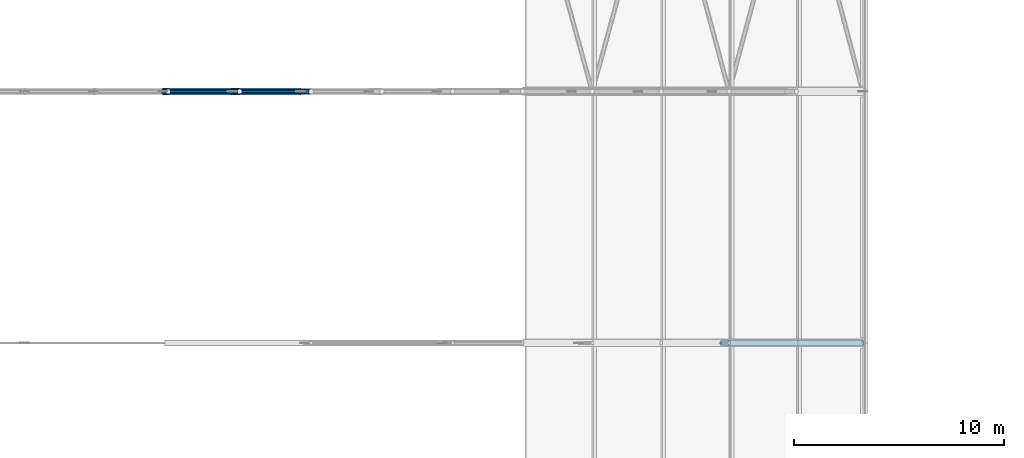
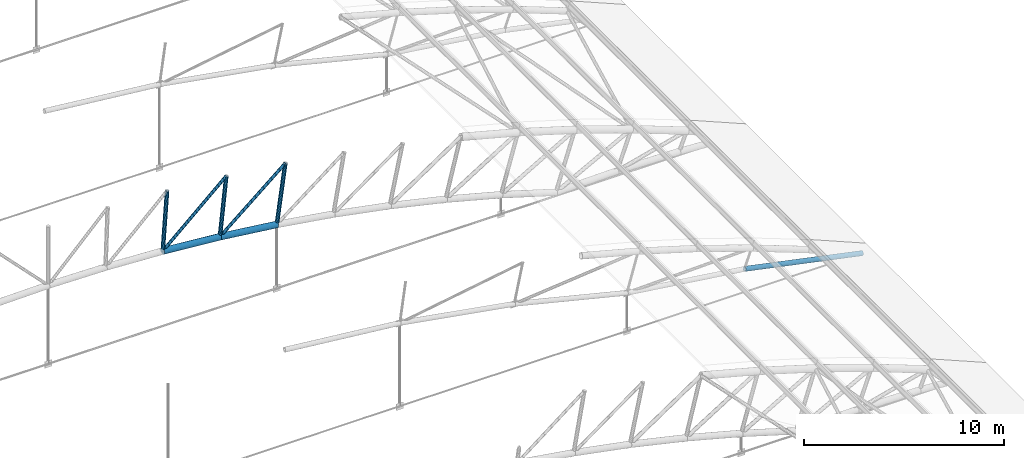
# One storey, part 98 of 321: 8 members.
"""IFC4 building model written with IfcOpenShell, lengths in metres."""

from ifc_helpers import new_model, si_unit, direction, frame, origin, origin_2d, place, context, subcontext, project, spatial, hollow_circle, extrude, material, material_profile, profile_set, type_object, element, save


model = new_model("IFC4")

# Units and contexts
model_context = context("Model", 3, precision=1e-05, world=origin(), true_north=direction((0.0, 1.0)))
body_context = subcontext(model_context, "Body", "Model", "MODEL_VIEW")
ifc_project = project(units=[si_unit("LENGTHUNIT", "METRE"), si_unit("AREAUNIT", "SQUARE_METRE"), si_unit("VOLUMEUNIT", "CUBIC_METRE"), si_unit("PLANEANGLEUNIT", "RADIAN"), si_unit("MASSUNIT", "GRAM", prefix="KILO")], contexts=[model_context])

# Site, building, storey
site_placement = place(None, origin())
site = spatial("IfcSite", under=ifc_project, at=site_placement, CompositionType="ELEMENT")
building_placement = place(site_placement, origin())
building = spatial("IfcBuilding", under=site, at=building_placement, Name="Ravi Spectrum Wholesale Market", CompositionType="ELEMENT")
storey_placement = place(building_placement, frame((0.0, 0.0, 10.800048828125)))
storey = spatial("IfcBuildingStorey", under=building, at=storey_placement, Name="L02", CompositionType="ELEMENT", Elevation=10.800048828125)

# Members
ifc_material_1 = material(Name="Steel S355", Category="steel")
ifc_material_profile_1 = material_profile(ifc_material_1, hollow_circle(Radius=0.084228515625, WallThickness=0.00634765625, at=origin_2d()))
ifc_profile_set_1 = profile_set([ifc_material_profile_1], Name="Steel S355")
member_type_1 = type_object("IfcMemberType", Name="CHS 168.3x6.3 brace", PredefinedType="BRACE", material=ifc_profile_set_1)
for number, where, z_axis, x_axis, name in (
    (1, (80.273193359375, 102.0, 7.867919921875), (-0.743626505142, 0.0, -0.668595259369), (0.0, -1.0, 0.0), "H1-MB-L02-571"),
    (2, (83.678466796875, 102.0, 7.45458984375), (-0.766252893925, 0.0, -0.642539105854), (0.0, -1.0, 0.0), "H1-MB-L02-572"),
):
    element("IfcMember", number, at=place(storey_placement, frame(where, z_axis=z_axis, x_axis=x_axis)), inside=storey, type_object=member_type_1, Name=name, PredefinedType="BRACE", context=body_context, shape_type="SweptSolid", body=[
        extrude(hollow_circle(Radius=0.084228515625, WallThickness=0.00634765625, at=origin_2d()), origin(), (0.0, 0.0, 1.0), 4.9296875),
    ])
ifc_material_2 = material(Name="Steel S355", Category="steel")
ifc_material_profile_2 = material_profile(ifc_material_2, hollow_circle(Radius=0.109619140625, WallThickness=0.008056640625, at=origin_2d()))
ifc_profile_set_2 = profile_set([ifc_material_profile_2], Name="Steel S355")
member_type_2 = type_object("IfcMemberType", Name="CHS 219.1x8 post", PredefinedType="POST", material=ifc_profile_set_2)
member_1_placement = place(storey_placement, frame((76.85546875, 102.0, 8.163330078125), z_axis=(-0.068904502548, 0.0, -0.997623260319), x_axis=(0.0, -1.0, 0.0)))
element("IfcMember", 3, at=member_1_placement, inside=storey, type_object=member_type_2, Name="H1-MB-L02-548", PredefinedType="POST", context=body_context, shape_type="SweptSolid", body=[
    extrude(hollow_circle(Radius=0.109619140625, WallThickness=0.008056640625, at=origin_2d()), origin(), (0.0, 0.0, 1.0), 3.599853515625),
])
member_2_placement = place(storey_placement, frame((80.273193359375, 102.0, 7.867919921875), z_axis=(-0.103350310801, 0.0, -0.994645018716), x_axis=(0.0, -1.0, 0.0)))
element("IfcMember", 4, at=member_2_placement, inside=storey, type_object=member_type_2, Name="H1-MB-L02-549", PredefinedType="POST", context=body_context, shape_type="SweptSolid", body=[
    extrude(hollow_circle(Radius=0.109619140625, WallThickness=0.008056640625, at=origin_2d()), origin(), (0.0, 0.0, 1.0), 3.60009765625),
])
member_3_placement = place(storey_placement, frame((83.678466796875, 102.0, 7.45458984375), z_axis=(-0.137603486835, 0.0, -0.990487395382), x_axis=(0.0, -1.0, 0.0)))
element("IfcMember", 5, at=member_3_placement, inside=storey, type_object=member_type_2, Name="H1-MB-L02-550", PredefinedType="POST", context=body_context, shape_type="SweptSolid", body=[
    extrude(hollow_circle(Radius=0.109619140625, WallThickness=0.008056640625, at=origin_2d()), origin(), (0.0, 0.0, 1.0), 3.599853515625),
])
ifc_material_3 = material(Name="Steel S355", Category="steel")
ifc_material_profile_3 = material_profile(ifc_material_3, hollow_circle(Radius=0.136474609375, WallThickness=0.010009765625, at=origin_2d()))
ifc_profile_set_3 = profile_set([ifc_material_profile_3], Name="Steel S355")
member_type_3 = type_object("IfcMemberType", Name="CHS 273x10 chord", PredefinedType="CHORD", material=ifc_profile_set_3)
member_4_placement = place(storey_placement, frame((103.231201171875, 90.0, 1.435546875), z_axis=(0.978978953118, 0.0, -0.203961293758), x_axis=(0.0, 1.0, 0.0)))
element("IfcMember", 6, at=member_4_placement, inside=storey, type_object=member_type_3, Name="H1-MB-L02-459", PredefinedType="CHORD", context=body_context, shape_type="SweptSolid", body=[
    extrude(hollow_circle(Radius=0.136474609375, WallThickness=0.010009765625, at=origin_2d()), origin(), (0.0, 0.0, 1.0), 6.924560546875),
])
ifc_material_4 = material(Name="Steel S355", Category="steel")
ifc_material_profile_4 = material_profile(ifc_material_4, hollow_circle(Radius=0.177734375, WallThickness=0.012451171875, at=origin_2d()))
ifc_profile_set_4 = profile_set([ifc_material_profile_4], Name="Steel S355")
member_type_4 = type_object("IfcMemberType", Name="CHS 355.6x12.5 chord", PredefinedType="CHORD", material=ifc_profile_set_4)
member_5_placement = place(storey_placement, frame((76.607421875, 102.0, 4.572021484375), z_axis=(0.99627955827, 0.0, -0.08618028645), x_axis=(0.0, 1.0, 0.0)))
element("IfcMember", 7, at=member_5_placement, inside=storey, type_object=member_type_4, Name="H1-MB-L02-525", PredefinedType="CHORD", context=body_context, shape_type="SweptSolid", body=[
    extrude(hollow_circle(Radius=0.177734375, WallThickness=0.012451171875, at=origin_2d()), origin(), (0.0, 0.0, 1.0), 3.305908203125),
])
member_6_placement = place(storey_placement, frame((79.901123046875, 102.0, 4.287109375), z_axis=(0.99272014244, 0.0, -0.120443840833), x_axis=(0.0, 1.0, 0.0)))
element("IfcMember", 8, at=member_6_placement, inside=storey, type_object=member_type_4, Name="H1-MB-L02-526", PredefinedType="CHORD", context=body_context, shape_type="SweptSolid", body=[
    extrude(hollow_circle(Radius=0.177734375, WallThickness=0.012451171875, at=origin_2d()), origin(), (0.0, 0.0, 1.0), 3.30615234375),
])

save(model, "model.ifc")
